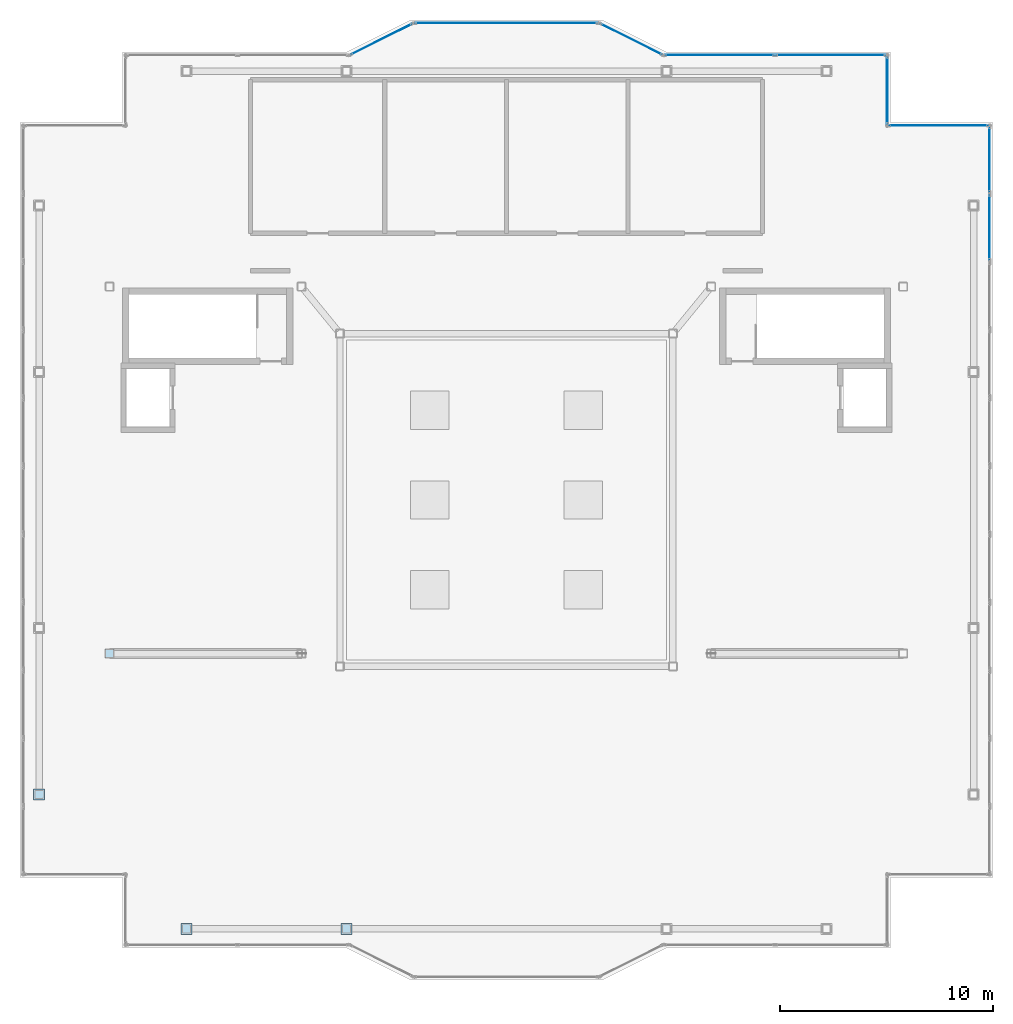
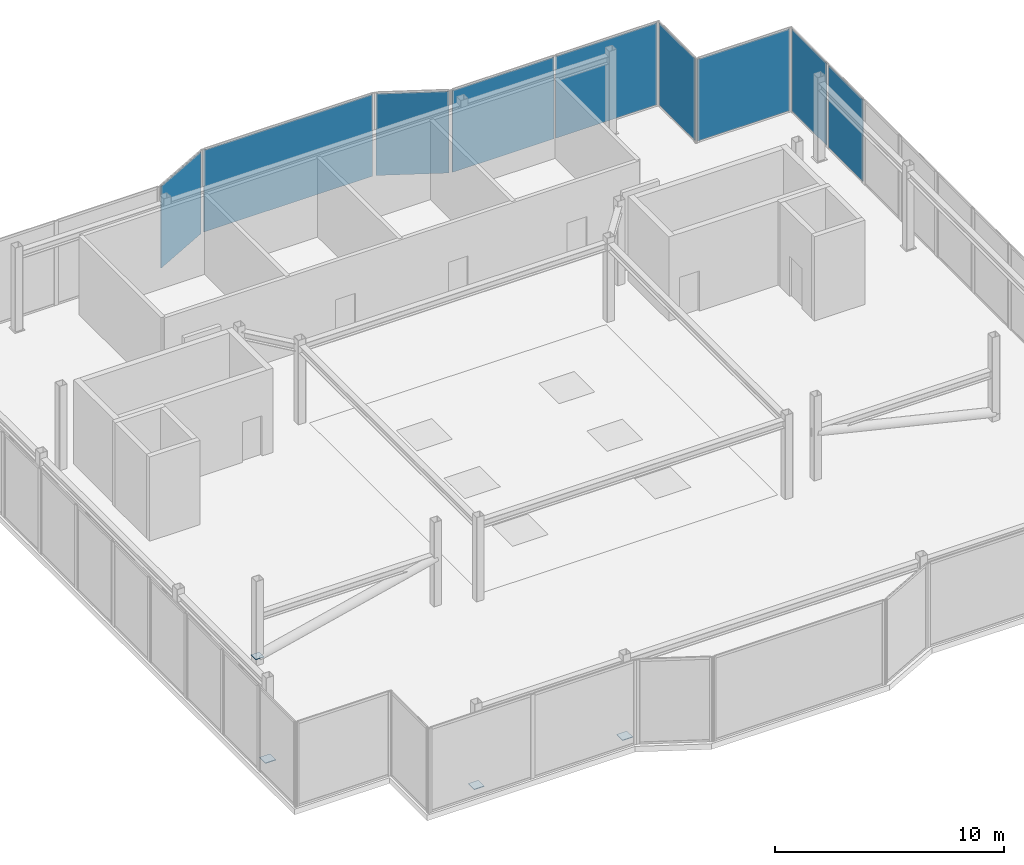
# One storey, part 14 of 18: 13 plates, 8 elements without a shape of their own.
"""IFC4 building model written with IfcOpenShell, lengths in metres."""

from ifc_helpers import new_model, si_unit, direction, frame, origin, origin_2d, place, context, subcontext, project, spatial, rectangle, extrude, material, layer, layer_set, type_object, element, aggregate, save


model = new_model("IFC4")

# Units and contexts
model_context = context("Model", 3, precision=1e-05, world=origin(), true_north=direction((0.0, 1.0)))
body_context = subcontext(model_context, "Body", "Model", "MODEL_VIEW")
ifc_project = project(units=[si_unit("LENGTHUNIT", "METRE"), si_unit("AREAUNIT", "SQUARE_METRE"), si_unit("VOLUMEUNIT", "CUBIC_METRE"), si_unit("PLANEANGLEUNIT", "RADIAN"), si_unit("MASSUNIT", "GRAM", prefix="KILO")], contexts=[model_context])

# Site, building, storey
site_placement = place(None, origin())
site = spatial("IfcSite", under=ifc_project, at=site_placement, CompositionType="ELEMENT")
building_placement = place(site_placement, origin())
building = spatial("IfcBuilding", under=site, at=building_placement, Name="Tarnavaz Court Tower", CompositionType="ELEMENT")
storey_placement = place(building_placement, frame((0.0, 0.0, 281.550048828125)))
storey = spatial("IfcBuildingStorey", under=building, at=storey_placement, Name="C01", CompositionType="ELEMENT", Elevation=281.550048828125)

# Curtain wall, plate
ifc_material_1 = material(Name="Anodised Aluminium 6063-T6 and Solar Low-E Glazing", Category="aluminium")
ifc_layer_1 = layer(ifc_material_1, 0.2099609375)
ifc_layer_set_1 = layer_set([ifc_layer_1], Name="Anodised Aluminium 6063-T6 and Solar Low-E Glazing")
curtain_wall_type = type_object("IfcCurtainWallType", Name="CW-SYS-06", PredefinedType="NOTDEFINED", material=ifc_layer_set_1)
curtain_wall_1_placement = place(storey_placement, origin())
curtain_wall_1 = element("IfcCurtainWall", 1, at=curtain_wall_1_placement, inside=storey, type_object=curtain_wall_type, Name="C01 Slanted Crown Terracotta Curtain Wall 18", PredefinedType="NOTDEFINED")
ifc_material_2 = material(Name="Double-Glazed Solar Low-E Glass", Category="glass")
ifc_layer_2 = layer(ifc_material_2, 0.028076171875)
ifc_layer_set_2 = layer_set([ifc_layer_2], Name="Double-Glazed Solar Low-E Glass")
plate_type_1 = type_object("IfcPlateType", Name="CW-PAN-GLZ28", PredefinedType="CURTAIN_PANEL", material=ifc_layer_set_2)
plate_1_placement = place(storey_placement, frame((-5.85009765625, 21.60009765625, 0.06494140625), z_axis=(0.0, 0.0, 1.0), x_axis=(0.894427191001, 0.447213595499, 0.0)))
plate_1 = element("IfcPlate", 2, at=plate_1_placement, type_object=plate_type_1, Name="CW panel 1.1", PredefinedType="CURTAIN_PANEL", context=body_context, shape_type="SweptSolid", body=[
    extrude(rectangle(XDim=3.18408203125, YDim=0.028076171875, at=origin_2d()), origin(), (0.0, 0.0, 1.0), 4.3701171875),
])
aggregate(curtain_wall_1, [plate_1])

curtain_wall_2_placement = place(storey_placement, origin())
curtain_wall_2 = element("IfcCurtainWall", 3, at=curtain_wall_2_placement, inside=storey, type_object=curtain_wall_type, Name="C01 Slanted Crown Terracotta Curtain Wall 19", PredefinedType="NOTDEFINED")
plate_2_placement = place(storey_placement, frame((0.0, 22.35009765625, 0.06494140625), z_axis=(0.0, 0.0, 1.0), x_axis=(1.0, 0.0, 0.0)))
plate_2 = element("IfcPlate", 4, at=plate_2_placement, type_object=plate_type_1, Name="CW panel 1.1", PredefinedType="CURTAIN_PANEL", context=body_context, shape_type="SweptSolid", body=[
    extrude(rectangle(XDim=8.530029296875, YDim=0.028076171875, at=origin_2d()), origin(), (0.0, 0.0, 1.0), 4.3701171875),
])
aggregate(curtain_wall_2, [plate_2])

curtain_wall_3_placement = place(storey_placement, origin())
curtain_wall_3 = element("IfcCurtainWall", 5, at=curtain_wall_3_placement, inside=storey, type_object=curtain_wall_type, Name="C01 Slanted Crown Terracotta Curtain Wall 20", PredefinedType="NOTDEFINED")
plate_3_placement = place(storey_placement, frame((5.85009765625, 21.60009765625, 0.06494140625), z_axis=(0.0, 0.0, 1.0), x_axis=(0.894427191001, -0.447213595499, 0.0)))
plate_3 = element("IfcPlate", 6, at=plate_3_placement, type_object=plate_type_1, Name="CW panel 1.1", PredefinedType="CURTAIN_PANEL", context=body_context, shape_type="SweptSolid", body=[
    extrude(rectangle(XDim=3.18408203125, YDim=0.028076171875, at=origin_2d()), origin(), (0.0, 0.0, 1.0), 4.3701171875),
])
aggregate(curtain_wall_3, [plate_3])

# Curtain wall, plates
curtain_wall_4_placement = place(storey_placement, origin())
curtain_wall_4 = element("IfcCurtainWall", 7, at=curtain_wall_4_placement, inside=storey, type_object=curtain_wall_type, Name="C01 Slanted Crown Terracotta Curtain Wall 21", PredefinedType="NOTDEFINED")
plate_4_placement = place(storey_placement, frame((9.996337890625, 20.85009765625, 0.06494140625), z_axis=(0.0, 0.0, 1.0), x_axis=(1.0, 0.0, 0.0)))
plate_4 = element("IfcPlate", 8, at=plate_4_placement, type_object=plate_type_1, Name="CW panel 1.1", PredefinedType="CURTAIN_PANEL", context=body_context, shape_type="SweptSolid", body=[
    extrude(rectangle(XDim=5.12255859375, YDim=0.028076171875, at=origin_2d()), origin(), (0.0, 0.0, 1.0), 4.3701171875),
])
plate_5_placement = place(storey_placement, frame((15.203857421875, 20.85009765625, 0.06494140625), z_axis=(0.0, 0.0, 1.0), x_axis=(1.0, 0.0, 0.0)))
plate_5 = element("IfcPlate", 9, at=plate_5_placement, type_object=plate_type_1, Name="CW panel 2.1", PredefinedType="CURTAIN_PANEL", context=body_context, shape_type="SweptSolid", body=[
    extrude(rectangle(XDim=5.12255859375, YDim=0.028076171875, at=origin_2d()), origin(), (0.0, 0.0, 1.0), 4.3701171875),
])
aggregate(curtain_wall_4, [plate_4, plate_5])

# Curtain wall, plate
curtain_wall_5_placement = place(storey_placement, origin())
curtain_wall_5 = element("IfcCurtainWall", 10, at=curtain_wall_5_placement, inside=storey, type_object=curtain_wall_type, Name="C01 Slanted Crown Terracotta Curtain Wall 22", PredefinedType="NOTDEFINED")
plate_6_placement = place(storey_placement, frame((17.85009765625, 19.199951171875, 0.06494140625), z_axis=(0.0, 0.0, 1.0), x_axis=(0.0, -1.0, 0.0)))
plate_6 = element("IfcPlate", 11, at=plate_6_placement, type_object=plate_type_1, Name="CW panel 1.1", PredefinedType="CURTAIN_PANEL", context=body_context, shape_type="SweptSolid", body=[
    extrude(rectangle(XDim=3.1298828125, YDim=0.028076171875, at=origin_2d()), origin(), (0.0, 0.0, 1.0), 4.3701171875),
])
aggregate(curtain_wall_5, [plate_6])

curtain_wall_6_placement = place(storey_placement, origin())
curtain_wall_6 = element("IfcCurtainWall", 12, at=curtain_wall_6_placement, inside=storey, type_object=curtain_wall_type, Name="C01 Slanted Crown Terracotta Curtain Wall 23", PredefinedType="NOTDEFINED")
plate_7_placement = place(storey_placement, frame((20.25, 17.550048828125, 0.06494140625), z_axis=(0.0, 0.0, 1.0), x_axis=(1.0, 0.0, 0.0)))
plate_7 = element("IfcPlate", 13, at=plate_7_placement, type_object=plate_type_1, Name="CW panel 1.1", PredefinedType="CURTAIN_PANEL", context=body_context, shape_type="SweptSolid", body=[
    extrude(rectangle(XDim=4.6298828125, YDim=0.028076171875, at=origin_2d()), origin(), (0.0, 0.0, 1.0), 4.3701171875),
])
aggregate(curtain_wall_6, [plate_7])

curtain_wall_7_placement = place(storey_placement, origin())
curtain_wall_7 = element("IfcCurtainWall", 14, at=curtain_wall_7_placement, inside=storey, type_object=curtain_wall_type, Name="C01 Slanted Crown Terracotta Curtain Wall 24", PredefinedType="NOTDEFINED")
plate_8_placement = place(storey_placement, frame((22.64990234375, 15.95458984375, 0.06494140625), z_axis=(0.0, 0.0, 1.0), x_axis=(0.0, -1.0, 0.0)))
plate_8 = element("IfcPlate", 15, at=plate_8_placement, type_object=plate_type_1, Name="CW panel 1.1", PredefinedType="CURTAIN_PANEL", context=body_context, shape_type="SweptSolid", body=[
    extrude(rectangle(XDim=3.02099609375, YDim=0.028076171875, at=origin_2d()), origin(), (0.0, 0.0, 1.0), 4.3701171875),
])
aggregate(curtain_wall_7, [plate_8])

curtain_wall_8_placement = place(storey_placement, origin())
curtain_wall_8 = element("IfcCurtainWall", 16, at=curtain_wall_8_placement, inside=storey, type_object=curtain_wall_type, Name="C01 Slanted Crown Terracotta Curtain Wall 25", PredefinedType="NOTDEFINED")
plate_9_placement = place(storey_placement, frame((22.64990234375, 12.763671875, 0.06494140625), z_axis=(0.0, 0.0, 1.0), x_axis=(0.0, -1.0, 0.0)))
plate_9 = element("IfcPlate", 17, at=plate_9_placement, type_object=plate_type_1, Name="CW panel 1.1", PredefinedType="CURTAIN_PANEL", context=body_context, shape_type="SweptSolid", body=[
    extrude(rectangle(XDim=3.02099609375, YDim=0.028076171875, at=origin_2d()), origin(), (0.0, 0.0, 1.0), 4.3701171875),
])
aggregate(curtain_wall_8, [plate_9])

# Plates
ifc_material_3 = material(Name="Steel S355", Category="steel")
ifc_layer_3 = layer(ifc_material_3, 0.034912109375)
ifc_layer_set_3 = layer_set([ifc_layer_3], Name="Steel S355")
plate_type_2 = type_object("IfcPlateType", Name="PL-BASE-35", PredefinedType="USERDEFINED", material=ifc_layer_set_3)
for number, where, z_axis, x_axis, name in (
    (18, (-15.0, -20.10009765625, 0.0), (0.0, 0.0, 1.0), (1.0, 0.0, 0.0), "C01 Crown Frame Post Base Plate PS-1"),
    (19, (-7.5, -20.10009765625, 0.0), (0.0, 0.0, 1.0), (1.0, 0.0, 0.0), "C01 Crown Frame Post Base Plate PS-2"),
    (20, (-21.89990234375, -13.800048828125, 0.0), (0.0, 0.0, 1.0), (1.0, 0.0, 0.0), "C01 Crown Frame Post Base Plate PW-1"),
):
    element("IfcPlate", number, at=place(storey_placement, frame(where, z_axis=z_axis, x_axis=x_axis)), inside=storey, type_object=plate_type_2, Name=name, ObjectType="BASE PLATE", PredefinedType="USERDEFINED", context=body_context, shape_type="SweptSolid", body=[
        extrude(rectangle(XDim=0.52001953125, YDim=0.52001953125, at=origin_2d()), origin(), (0.0, 0.0, 1.0), 0.034912109375),
    ])
ifc_layer_4 = layer(ifc_material_3, 0.02490234375)
ifc_layer_set_4 = layer_set([ifc_layer_4], Name="Steel S355")
plate_type_3 = type_object("IfcPlateType", Name="PL-CAP-25", PredefinedType="USERDEFINED", material=ifc_layer_set_4)
plate_10_placement = place(storey_placement, frame((-18.60009765625, -7.199951171875, 0.33740234375), z_axis=(0.0, 0.0, 1.0), x_axis=(1.0, 0.0, 0.0)))
element("IfcPlate", 21, at=plate_10_placement, inside=storey, type_object=plate_type_3, Name="C01 Crown Brace Node Cap Plate W", ObjectType="CAP PLATE", PredefinedType="USERDEFINED", context=body_context, shape_type="SweptSolid", body=[
    extrude(rectangle(XDim=0.419921875, YDim=0.419921875, at=origin_2d()), origin(), (0.0, 0.0, 1.0), 0.02490234375),
])

save(model, "model.ifc")
